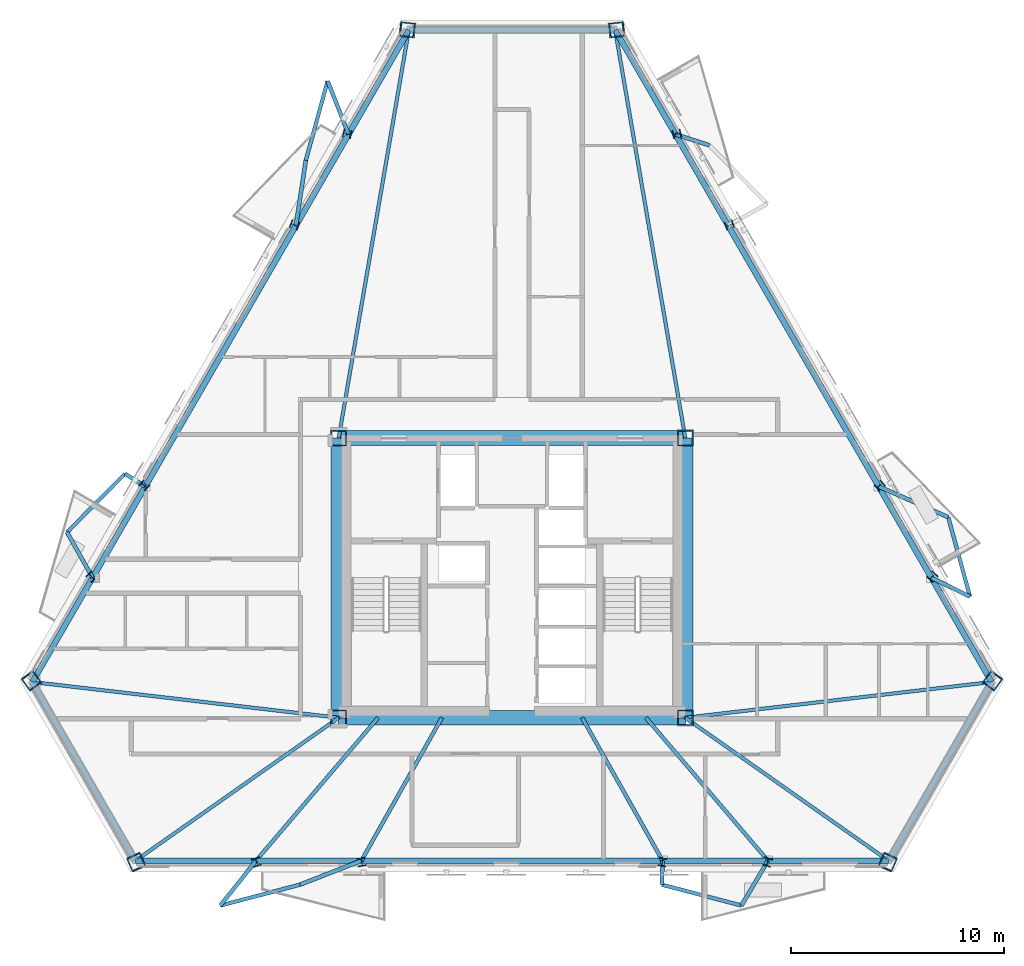
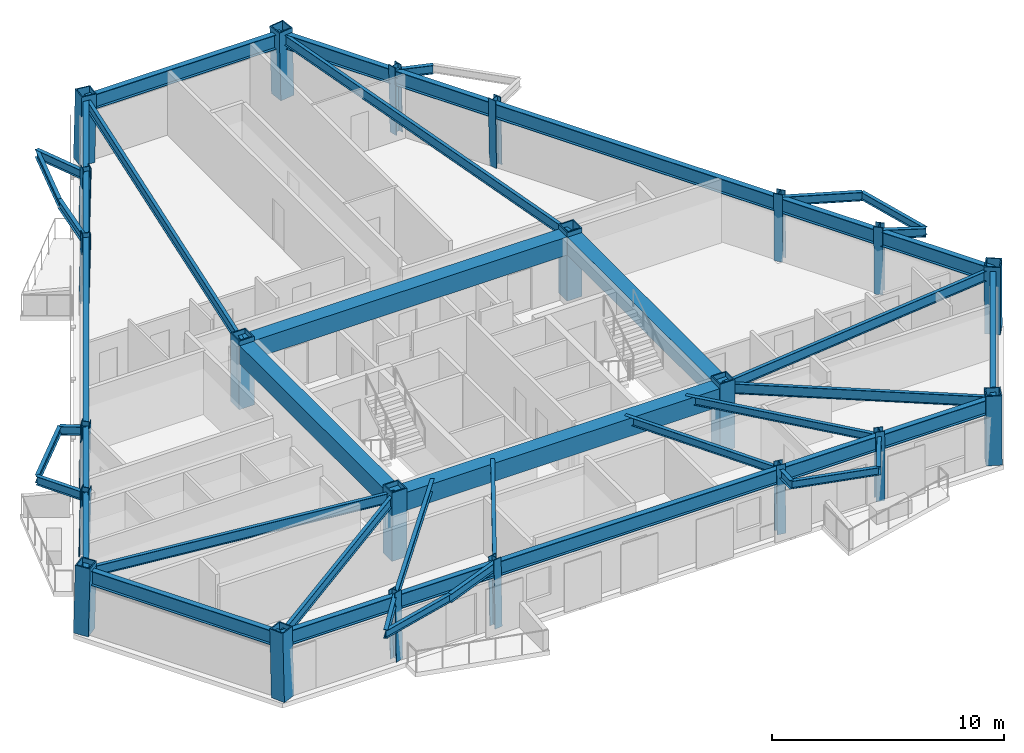
# One storey, part 1 of 9: 48 beams, 22 columns.
"""IFC4 building model written with IfcOpenShell, lengths in metres."""

from ifc_helpers import new_model, si_unit, direction, frame, origin, origin_2d, place, context, subcontext, project, spatial, rectangle, hollow_rectangle, i_section, extrude, material, material_profile, profile_set, type_object, element, save


model = new_model("IFC4")

# Units and contexts
model_context = context("Model", 3, precision=1e-05, world=origin(), true_north=direction((0.0, 1.0)))
body_context = subcontext(model_context, "Body", "Model", "MODEL_VIEW")
ifc_project = project(units=[si_unit("LENGTHUNIT", "METRE"), si_unit("AREAUNIT", "SQUARE_METRE"), si_unit("VOLUMEUNIT", "CUBIC_METRE"), si_unit("PLANEANGLEUNIT", "RADIAN"), si_unit("MASSUNIT", "GRAM", prefix="KILO")], contexts=[model_context])

# Site, building, storey
site_placement = place(None, origin())
site = spatial("IfcSite", under=ifc_project, at=site_placement, CompositionType="ELEMENT")
building_placement = place(site_placement, origin())
building = spatial("IfcBuilding", under=site, at=building_placement, Name="Oramaril Tower", CompositionType="ELEMENT")
storey_placement = place(building_placement, frame((0.0, 0.0, 142.199951171875)))
storey = spatial("IfcBuildingStorey", under=building, at=storey_placement, Name="L37", CompositionType="ELEMENT", Elevation=142.199951171875)

# Columns
ifc_material_1 = material(Name="Steel ASTM A572 Gr 50", Category="steel")
ifc_material_profile_1 = material_profile(ifc_material_1, hollow_rectangle(XDim=0.75, YDim=0.75, WallThickness=0.06005859375, at=origin_2d()), Name="BOX750X750X60")
ifc_profile_set_1 = profile_set([ifc_material_profile_1], Name="Steel ASTM A572 Gr 50")
column_type_1 = type_object("IfcColumnType", Name="CT-CC4", PredefinedType="COLUMN", material=ifc_profile_set_1)
for number, where, z_axis, x_axis, name in (
    (1, (29.35009765625, 11.0, 0.0), (0.0, 0.0, 1.0), (1.0, 0.0, 0.0), "L37 Core Column CC-1"),
    (2, (45.64990234375, 11.0, 0.0), (0.0, 0.0, 1.0), (1.0, 0.0, 0.0), "L37 Core Column CC-2"),
    (3, (45.64990234375, 24.14990234375, 0.0), (0.0, 0.0, 1.0), (1.0, 0.0, 0.0), "L37 Core Column CC-3"),
    (4, (29.35009765625, 24.14990234375, 0.0), (0.0, 0.0, 1.0), (1.0, 0.0, 0.0), "L37 Core Column CC-4"),
):
    element("IfcColumn", number, at=place(storey_placement, frame(where, z_axis=z_axis, x_axis=x_axis)), inside=storey, type_object=column_type_1, Name=name, PredefinedType="COLUMN", context=body_context, shape_type="SweptSolid", body=[
        extrude(hollow_rectangle(XDim=0.75, YDim=0.75, WallThickness=0.06005859375, at=origin_2d()), origin(), (0.0, 0.0, 1.0), 3.60009765625),
    ])
ifc_material_2 = material(Name="Steel ASTM A572 Gr 50", Category="steel")
ifc_material_profile_2 = material_profile(ifc_material_2, hollow_rectangle(XDim=0.699951171875, YDim=0.699951171875, WallThickness=0.054931640625, at=origin_2d()), Name="BOX700X700X55")
ifc_profile_set_2 = profile_set([ifc_material_profile_2], Name="Steel ASTM A572 Gr 50")
column_type_2 = type_object("IfcColumnType", Name="CT-TC4", PredefinedType="COLUMN", material=ifc_profile_set_2)
for number, where, z_axis, x_axis, name in (
    (5, (14.896728515625, 12.749755859375, 0.004638671875), (0.014137914748, -0.01930369129, 0.999713702451), (0.806766093747, 0.590870941899, 0.0), "L37 Tube Column TC-01"),
    (6, (19.8330078125, 4.2001953125, 0.004638671875), (-0.00965184725, 0.021886583202, 0.999713868725), (-0.914979518998, -0.403500284776, 0.0), "L37 Tube Column TC-02"),
    (7, (55.1669921875, 4.2001953125, 0.004638671875), (0.00965184725, 0.021886583202, 0.999713868725), (-0.914979518998, 0.403500284776, 0.0), "L37 Tube Column TC-03"),
    (8, (60.103271484375, 12.749755859375, 0.004638671875), (-0.014137914748, -0.01930369129, 0.999713702451), (0.806766093747, -0.590870941899, 0.0), "L37 Tube Column TC-04"),
    (9, (42.43603515625, 43.35009765625, 0.004638671875), (-0.023789759074, -0.002582888128, 0.999713647027), (0.107937124158, -0.994157722511, 0.0), "L37 Tube Column TC-05"),
    (10, (32.56396484375, 43.35009765625, 0.004638671875), (0.023789759074, -0.002582888128, 0.999713647027), (0.107937124158, 0.994157722511, 0.0), "L37 Tube Column TC-06"),
):
    element("IfcColumn", number, at=place(storey_placement, frame(where, z_axis=z_axis, x_axis=x_axis)), inside=storey, type_object=column_type_2, Name=name, PredefinedType="COLUMN", context=body_context, shape_type="SweptSolid", body=[
        extrude(hollow_rectangle(XDim=0.699951171875, YDim=0.699951171875, WallThickness=0.054931640625, at=origin_2d()), origin(), (0.0, 0.0, 1.0), 3.591796875),
    ])
ifc_material_3 = material(Name="Steel ASTM A572 Gr 50", Category="steel")
ifc_material_profile_3 = material_profile(ifc_material_3, i_section(OverallWidth=0.39892578125, OverallDepth=0.385986328125, WebThickness=0.02099609375, FlangeThickness=0.033203125, at=origin_2d()), Name="W14X176")
ifc_profile_set_3 = profile_set([ifc_material_profile_3], Name="Steel ASTM A572 Gr 50")
column_type_3 = type_object("IfcColumnType", Name="CT-TF4", PredefinedType="COLUMN", material=ifc_profile_set_3)
for number, where, z_axis, x_axis, name in (
    (11, (25.486328125, 4.2001953125, 0.004638671875), (-0.006525357536, 0.021887136734, 0.999739152457), (-0.958316356507, -0.2857092243, 0.0), "L37 Tube Column TC-07"),
    (12, (30.43310546875, 4.2001953125, 0.004638671875), (-0.003874484445, 0.021887438445, 0.999752933683), (-0.984691062633, -0.174308666367, 0.0), "L37 Tube Column TC-08"),
    (13, (44.56689453125, 4.2001953125, 0.004638671875), (0.003874484445, 0.021887438445, 0.999752933683), (-0.984691062633, 0.174308666367, 0.0), "L37 Tube Column TC-09"),
    (14, (49.513671875, 4.2001953125, 0.004638671875), (0.006525357536, 0.021887136734, 0.999739152457), (-0.958316356507, 0.2857092243, 0.0), "L37 Tube Column TC-10"),
    (15, (57.276611328125, 17.645751953125, 0.004638671875), (-0.015701641679, -0.016585283852, 0.999739159385), (0.72618726002, -0.687496955183, 0.0), "L37 Tube Column TC-11"),
    (16, (54.802978515625, 21.9296875, 0.004638671875), (-0.016993365903, -0.014274427358, 0.999753702788), (0.643192086423, -0.76570486479, 0.0), "L37 Tube Column TC-12"),
    (17, (47.736083984375, 34.169921875, 0.004638671875), (-0.020867844024, -0.00761302453, 0.999753257031), (0.342725666193, -0.93943553144, 0.0), "L37 Tube Column TC-13"),
    (18, (45.2626953125, 38.4541015625, 0.004638671875), (-0.022159054275, -0.005301859612, 0.999740399603), (0.232695903295, -0.972549544542, 0.0), "L37 Tube Column TC-14"),
    (19, (29.7373046875, 38.4541015625, 0.004638671875), (0.022159054275, -0.005301859612, 0.999740399603), (0.232695903295, 0.972549544542, 0.0), "L37 Tube Column TC-15"),
    (20, (27.263916015625, 34.169921875, 0.004638671875), (0.020867844024, -0.00761302453, 0.999753257031), (0.342725666193, 0.93943553144, 0.0), "L37 Tube Column TC-16"),
    (21, (20.197021484375, 21.9296875, 0.004638671875), (0.016993365903, -0.014274427358, 0.999753702788), (0.643192086423, 0.76570486479, 0.0), "L37 Tube Column TC-17"),
    (22, (17.723388671875, 17.645751953125, 0.004638671875), (0.015701641679, -0.016585283852, 0.999739159385), (0.72618726002, 0.687496955183, 0.0), "L37 Tube Column TC-18"),
):
    element("IfcColumn", number, at=place(storey_placement, frame(where, z_axis=z_axis, x_axis=x_axis)), inside=storey, type_object=column_type_3, Name=name, PredefinedType="COLUMN", context=body_context, shape_type="SweptSolid", body=[
        extrude(i_section(OverallWidth=0.39892578125, OverallDepth=0.385986328125, WebThickness=0.02099609375, FlangeThickness=0.033203125, at=origin_2d()), origin(), (0.0, 0.0, 1.0), 3.591796875),
    ])

# Beams
ifc_material_4 = material(Name="Steel ASTM A572 Gr 50", Category="steel")
ifc_material_profile_4 = material_profile(ifc_material_4, i_section(OverallWidth=0.19091796875, OverallDepth=0.45703125, WebThickness=0.009033203125, FlangeThickness=0.014404296875, at=origin_2d()), Name="W18X50")
ifc_profile_set_4 = profile_set([ifc_material_profile_4], Name="Steel ASTM A572 Gr 50")
beam_type_1 = type_object("IfcBeamType", Name="BT-BB1", PredefinedType="BEAM", material=ifc_profile_set_4)
beam_1_placement = place(storey_placement, frame((25.462890625, 4.27880859375, 3.131591796875), z_axis=(-0.622637099285, -0.782510730018, 0.0), x_axis=(0.782510730018, -0.622637099285, 0.0)))
element("IfcBeam", 23, at=beam_1_placement, inside=storey, type_object=beam_type_1, Name="L37 Balcony Column-Framed Cantilever 01.1", PredefinedType="BEAM", context=body_context, shape_type="SweptSolid", body=[
    extrude(i_section(OverallWidth=0.19091796875, OverallDepth=0.45703125, WebThickness=0.009033203125, FlangeThickness=0.014404296875, at=origin_2d()), origin(), (0.0, 0.0, 1.0), 2.69384765625),
])
beam_2_placement = place(storey_placement, frame((30.419189453125, 4.27880859375, 3.131591796875), z_axis=(-0.931538604278, -0.363642446284, 0.0), x_axis=(0.363642446284, -0.931538604278, 0.0)))
element("IfcBeam", 24, at=beam_2_placement, inside=storey, type_object=beam_type_1, Name="L37 Balcony Column-Framed Cantilever 01.2", PredefinedType="BEAM", context=body_context, shape_type="SweptSolid", body=[
    extrude(i_section(OverallWidth=0.19091796875, OverallDepth=0.45703125, WebThickness=0.009033203125, FlangeThickness=0.014404296875, at=origin_2d()), origin(), (0.0, 0.0, 1.0), 3.101806640625),
])
beam_3_placement = place(storey_placement, frame((44.580810546875, 4.27880859375, 3.131591796875), z_axis=(-0.031369834982, -0.999507845619, 0.0), x_axis=(0.999507845619, -0.031369834982, 0.0)))
element("IfcBeam", 25, at=beam_3_placement, inside=storey, type_object=beam_type_1, Name="L37 Balcony Column-Framed Cantilever 02.1", PredefinedType="BEAM", context=body_context, shape_type="SweptSolid", body=[
    extrude(i_section(OverallWidth=0.19091796875, OverallDepth=0.45703125, WebThickness=0.009033203125, FlangeThickness=0.014404296875, at=origin_2d()), origin(), (0.0, 0.0, 1.0), 1.12841796875),
])
beam_4_placement = place(storey_placement, frame((49.537109375, 4.27880859375, 3.131591796875), z_axis=(-0.509400730271, -0.860529427736, 0.0), x_axis=(0.860529427736, -0.509400730271, 0.0)))
element("IfcBeam", 26, at=beam_4_placement, inside=storey, type_object=beam_type_1, Name="L37 Balcony Column-Framed Cantilever 02.2", PredefinedType="BEAM", context=body_context, shape_type="SweptSolid", body=[
    extrude(i_section(OverallWidth=0.19091796875, OverallDepth=0.45703125, WebThickness=0.009033203125, FlangeThickness=0.014404296875, at=origin_2d()), origin(), (0.0, 0.0, 1.0), 2.449462890625),
])
beam_5_placement = place(storey_placement, frame((57.22021484375, 17.586181640625, 3.131591796875), z_axis=(0.898163954461, -0.439660677009, 0.0), x_axis=(0.439660677009, 0.898163954461, 0.0)))
element("IfcBeam", 27, at=beam_5_placement, inside=storey, type_object=beam_type_1, Name="L37 Balcony Column-Framed Cantilever 03.1", PredefinedType="BEAM", context=body_context, shape_type="SweptSolid", body=[
    extrude(i_section(OverallWidth=0.19091796875, OverallDepth=0.45703125, WebThickness=0.009033203125, FlangeThickness=0.014404296875, at=origin_2d()), origin(), (0.0, 0.0, 1.0), 2.021240234375),
])
beam_6_placement = place(storey_placement, frame((54.741943359375, 21.87841796875, 3.131591796875), z_axis=(0.914325920891, -0.404979148089, 0.0), x_axis=(0.404979148089, 0.914325920891, 0.0)))
element("IfcBeam", 28, at=beam_6_placement, inside=storey, type_object=beam_type_1, Name="L37 Balcony Column-Framed Cantilever 03.2", PredefinedType="BEAM", context=body_context, shape_type="SweptSolid", body=[
    extrude(i_section(OverallWidth=0.19091796875, OverallDepth=0.45703125, WebThickness=0.009033203125, FlangeThickness=0.014404296875, at=origin_2d()), origin(), (0.0, 0.0, 1.0), 3.57666015625),
])
beam_7_placement = place(storey_placement, frame((45.18310546875, 38.43505859375, 3.131591796875), z_axis=(0.951659352853, -0.307155459219, 0.0), x_axis=(0.307155459219, 0.951659352853, 0.0)))
element("IfcBeam", 29, at=beam_7_placement, inside=storey, type_object=beam_type_1, Name="L37 Balcony Column-Framed Cantilever 04.2", PredefinedType="BEAM", context=body_context, shape_type="SweptSolid", body=[
    extrude(i_section(OverallWidth=0.19091796875, OverallDepth=0.45703125, WebThickness=0.009033203125, FlangeThickness=0.014404296875, at=origin_2d()), origin(), (0.0, 0.0, 1.0), 1.681884765625),
])
beam_8_placement = place(storey_placement, frame((29.81689453125, 38.43505859375, 3.131591796875), z_axis=(-0.366322431554, 0.930487977429, 0.0), x_axis=(-0.930487977429, -0.366322431554, 0.0)))
element("IfcBeam", 30, at=beam_8_placement, inside=storey, type_object=beam_type_1, Name="L37 Balcony Column-Framed Cantilever 05.1", PredefinedType="BEAM", context=body_context, shape_type="SweptSolid", body=[
    extrude(i_section(OverallWidth=0.19091796875, OverallDepth=0.45703125, WebThickness=0.009033203125, FlangeThickness=0.014404296875, at=origin_2d()), origin(), (0.0, 0.0, 1.0), 2.69384765625),
])
beam_9_placement = place(storey_placement, frame((27.3388671875, 34.142578125, 3.131591796875), z_axis=(0.150791471743, 0.988565593195, 0.0), x_axis=(-0.988565593195, 0.150791471743, 0.0)))
element("IfcBeam", 31, at=beam_9_placement, inside=storey, type_object=beam_type_1, Name="L37 Balcony Column-Framed Cantilever 05.2", PredefinedType="BEAM", context=body_context, shape_type="SweptSolid", body=[
    extrude(i_section(OverallWidth=0.19091796875, OverallDepth=0.45703125, WebThickness=0.009033203125, FlangeThickness=0.014404296875, at=origin_2d()), origin(), (0.0, 0.0, 1.0), 3.10205078125),
])
beam_10_placement = place(storey_placement, frame((20.258056640625, 21.87841796875, 3.131591796875), z_axis=(-0.849900754186, 0.526942793891, 0.0), x_axis=(-0.526942793891, -0.849900754186, 0.0)))
element("IfcBeam", 32, at=beam_10_placement, inside=storey, type_object=beam_type_1, Name="L37 Balcony Column-Framed Cantilever 06.1", PredefinedType="BEAM", context=body_context, shape_type="SweptSolid", body=[
    extrude(i_section(OverallWidth=0.19091796875, OverallDepth=0.45703125, WebThickness=0.009033203125, FlangeThickness=0.014404296875, at=origin_2d()), origin(), (0.0, 0.0, 1.0), 1.128662109375),
])
beam_11_placement = place(storey_placement, frame((17.77978515625, 17.586181640625, 3.131591796875), z_axis=(-0.490568791691, 0.871402467646, 0.0), x_axis=(-0.871402467646, -0.490568791691, 0.0)))
element("IfcBeam", 33, at=beam_11_placement, inside=storey, type_object=beam_type_1, Name="L37 Balcony Column-Framed Cantilever 06.2", PredefinedType="BEAM", context=body_context, shape_type="SweptSolid", body=[
    extrude(i_section(OverallWidth=0.19091796875, OverallDepth=0.45703125, WebThickness=0.009033203125, FlangeThickness=0.014404296875, at=origin_2d()), origin(), (0.0, 0.0, 1.0), 2.449462890625),
])
ifc_material_5 = material(Name="Concrete C50/60", Category="concrete")
ifc_material_profile_5 = material_profile(ifc_material_5, rectangle(XDim=0.699951171875, YDim=0.949951171875, at=origin_2d()), Name="CB700X950")
ifc_profile_set_5 = profile_set([ifc_material_profile_5], Name="Concrete C50/60")
beam_type_2 = type_object("IfcBeamType", Name="BT-CB1", PredefinedType="BEAM", material=ifc_profile_set_5)
beam_12_placement = place(storey_placement, frame((29.35009765625, 11.0, 2.885009765625), z_axis=(1.0, 0.0, 0.0), x_axis=(0.0, 1.0, 0.0)))
element("IfcBeam", 34, at=beam_12_placement, inside=storey, type_object=beam_type_2, Name="L37 Core Header Beam CB-1", PredefinedType="BEAM", context=body_context, shape_type="SweptSolid", body=[
    extrude(rectangle(XDim=0.699951171875, YDim=0.949951171875, at=origin_2d()), origin(), (0.0, 0.0, 1.0), 16.2998046875),
])
beam_13_placement = place(storey_placement, frame((45.64990234375, 11.0, 2.885009765625), z_axis=(0.0, 1.0, 0.0), x_axis=(-1.0, 0.0, 0.0)))
element("IfcBeam", 35, at=beam_13_placement, inside=storey, type_object=beam_type_2, Name="L37 Core Header Beam CB-2", PredefinedType="BEAM", context=body_context, shape_type="SweptSolid", body=[
    extrude(rectangle(XDim=0.699951171875, YDim=0.949951171875, at=origin_2d()), origin(), (0.0, 0.0, 1.0), 13.14990234375),
])
beam_14_placement = place(storey_placement, frame((45.64990234375, 24.14990234375, 2.885009765625), z_axis=(-1.0, 0.0, 0.0), x_axis=(0.0, -1.0, 0.0)))
element("IfcBeam", 36, at=beam_14_placement, inside=storey, type_object=beam_type_2, Name="L37 Core Header Beam CB-3", PredefinedType="BEAM", context=body_context, shape_type="SweptSolid", body=[
    extrude(rectangle(XDim=0.699951171875, YDim=0.949951171875, at=origin_2d()), origin(), (0.0, 0.0, 1.0), 16.2998046875),
])
beam_15_placement = place(storey_placement, frame((29.35009765625, 24.14990234375, 2.885009765625), z_axis=(0.0, -1.0, 0.0), x_axis=(1.0, 0.0, 0.0)))
element("IfcBeam", 37, at=beam_15_placement, inside=storey, type_object=beam_type_2, Name="L37 Core Header Beam CB-4", PredefinedType="BEAM", context=body_context, shape_type="SweptSolid", body=[
    extrude(rectangle(XDim=0.699951171875, YDim=0.949951171875, at=origin_2d()), origin(), (0.0, 0.0, 1.0), 13.14990234375),
])
ifc_material_6 = material(Name="Steel ASTM A572 Gr 50", Category="steel")
ifc_material_profile_6 = material_profile(ifc_material_6, i_section(OverallWidth=0.166015625, OverallDepth=0.528076171875, WebThickness=0.009765625, FlangeThickness=0.013671875, at=origin_2d()), Name="W21X50")
ifc_profile_set_6 = profile_set([ifc_material_profile_6], Name="Steel ASTM A572 Gr 50")
beam_type_3 = type_object("IfcBeamType", Name="BT-FB3", PredefinedType="BEAM", material=ifc_profile_set_6)
beam_16_placement = place(storey_placement, frame((29.35009765625, 11.0, 3.095947265625), z_axis=(-0.993262202387, 0.115888728138, 0.0), x_axis=(-0.115888728138, -0.993262202387, 0.0)))
element("IfcBeam", 38, at=beam_16_placement, inside=storey, type_object=beam_type_3, Name="L37 Radial Primary Beam RB-01", PredefinedType="BEAM", context=body_context, shape_type="SweptSolid", body=[
    extrude(i_section(OverallWidth=0.166015625, OverallDepth=0.528076171875, WebThickness=0.009765625, FlangeThickness=0.013671875, at=origin_2d()), origin(), (0.0, 0.0, 1.0), 14.500244140625),
])
for number, where, z_axis, x_axis, name in (
    (39, (29.35009765625, 11.0, 3.095947265625), (-0.817823179999, -0.575469587603, 0.0), (0.575469587603, -0.817823179999, 0.0), "L37 Radial Primary Beam RB-02"),
    (40, (45.64990234375, 11.0, 3.095947265625), (0.817823179999, -0.575469587603, 0.0), (0.575469587603, 0.817823179999, 0.0), "L37 Radial Primary Beam RB-03"),
):
    element("IfcBeam", number, at=place(storey_placement, frame(where, z_axis=z_axis, x_axis=x_axis)), inside=storey, type_object=beam_type_3, Name=name, PredefinedType="BEAM", context=body_context, shape_type="SweptSolid", body=[
        extrude(i_section(OverallWidth=0.166015625, OverallDepth=0.528076171875, WebThickness=0.009765625, FlangeThickness=0.013671875, at=origin_2d()), origin(), (0.0, 0.0, 1.0), 11.679443359375),
    ])
beam_17_placement = place(storey_placement, frame((45.64990234375, 11.0, 3.095947265625), z_axis=(0.993262202387, 0.115888728138, 0.0), x_axis=(-0.115888728138, 0.993262202387, 0.0)))
element("IfcBeam", 41, at=beam_17_placement, inside=storey, type_object=beam_type_3, Name="L37 Radial Primary Beam RB-04", PredefinedType="BEAM", context=body_context, shape_type="SweptSolid", body=[
    extrude(i_section(OverallWidth=0.166015625, OverallDepth=0.528076171875, WebThickness=0.009765625, FlangeThickness=0.013671875, at=origin_2d()), origin(), (0.0, 0.0, 1.0), 14.500244140625),
])
for number, where, z_axis, x_axis, name in (
    (42, (45.64990234375, 24.14990234375, 3.095947265625), (-0.169434980073, 0.98554136774, 0.0), (-0.98554136774, -0.169434980073, 0.0), "L37 Radial Primary Beam RB-05"),
    (43, (29.35009765625, 24.14990234375, 3.095947265625), (0.169434980073, 0.98554136774, 0.0), (-0.98554136774, 0.169434980073, 0.0), "L37 Radial Primary Beam RB-06"),
):
    element("IfcBeam", number, at=place(storey_placement, frame(where, z_axis=z_axis, x_axis=x_axis)), inside=storey, type_object=beam_type_3, Name=name, PredefinedType="BEAM", context=body_context, shape_type="SweptSolid", body=[
        extrude(i_section(OverallWidth=0.166015625, OverallDepth=0.528076171875, WebThickness=0.009765625, FlangeThickness=0.013671875, at=origin_2d()), origin(), (0.0, 0.0, 1.0), 19.472412109375),
    ])
ifc_material_7 = material(Name="Steel ASTM A572 Gr 50", Category="steel")
ifc_material_profile_7 = material_profile(ifc_material_7, i_section(OverallWidth=0.177978515625, OverallDepth=0.404052734375, WebThickness=0.007568359375, FlangeThickness=0.010986328125, at=origin_2d()), Name="W16X36")
ifc_profile_set_7 = profile_set([ifc_material_profile_7], Name="Steel ASTM A572 Gr 50")
beam_type_4 = type_object("IfcBeamType", Name="BT-SB1", PredefinedType="BEAM", material=ifc_profile_set_7)
beam_18_placement = place(storey_placement, frame((31.199951171875, 11.0, 3.157958984375), z_axis=(-0.64922690795, -0.760594781729, 0.0), x_axis=(0.760594781729, -0.64922690795, 0.0)))
element("IfcBeam", 44, at=beam_18_placement, inside=storey, type_object=beam_type_4, Name="L37 Secondary Floor Beam SB-01", PredefinedType="BEAM", context=body_context, shape_type="SweptSolid", body=[
    extrude(i_section(OverallWidth=0.177978515625, OverallDepth=0.404052734375, WebThickness=0.007568359375, FlangeThickness=0.010986328125, at=origin_2d()), origin(), (0.0, 0.0, 1.0), 8.836669921875),
])
for number, where, z_axis, x_axis, name in (
    (45, (34.199951171875, 11.0, 3.157958984375), (-0.490270258175, -0.871570464133, 0.0), (0.871570464133, -0.490270258175, 0.0), "L37 Secondary Floor Beam SB-02"),
    (46, (40.800048828125, 11.0, 3.157958984375), (0.490270258175, -0.871570464133, 0.0), (0.871570464133, 0.490270258175, 0.0), "L37 Secondary Floor Beam SB-03"),
):
    element("IfcBeam", number, at=place(storey_placement, frame(where, z_axis=z_axis, x_axis=x_axis)), inside=storey, type_object=beam_type_4, Name=name, PredefinedType="BEAM", context=body_context, shape_type="SweptSolid", body=[
        extrude(i_section(OverallWidth=0.177978515625, OverallDepth=0.404052734375, WebThickness=0.007568359375, FlangeThickness=0.010986328125, at=origin_2d()), origin(), (0.0, 0.0, 1.0), 7.711669921875),
    ])
beam_19_placement = place(storey_placement, frame((43.800048828125, 11.0, 3.157958984375), z_axis=(0.64922690795, -0.760594781729, 0.0), x_axis=(0.760594781729, 0.64922690795, 0.0)))
element("IfcBeam", 47, at=beam_19_placement, inside=storey, type_object=beam_type_4, Name="L37 Secondary Floor Beam SB-04", PredefinedType="BEAM", context=body_context, shape_type="SweptSolid", body=[
    extrude(i_section(OverallWidth=0.177978515625, OverallDepth=0.404052734375, WebThickness=0.007568359375, FlangeThickness=0.010986328125, at=origin_2d()), origin(), (0.0, 0.0, 1.0), 8.836669921875),
])
beam_20_placement = place(storey_placement, frame((23.78564453125, 2.1708984375, 3.157958984375), z_axis=(0.967411967632, 0.253207592467, 0.0), x_axis=(-0.253207592467, 0.967411967632, 0.0)))
element("IfcBeam", 48, at=beam_20_placement, inside=storey, type_object=beam_type_4, Name="L37 Balcony Edge Tie Beam 01", PredefinedType="BEAM", context=body_context, shape_type="SweptSolid", body=[
    extrude(i_section(OverallWidth=0.177978515625, OverallDepth=0.404052734375, WebThickness=0.007568359375, FlangeThickness=0.010986328125, at=origin_2d()), origin(), (0.0, 0.0, 1.0), 3.870361328125),
])
for number, where, z_axis, x_axis, name in (
    (49, (44.54541015625, 3.15087890625, 3.157958984375), (0.967407922874, -0.253223045479, 0.0), (0.253223045479, 0.967407922874, 0.0), "L37 Balcony Edge Tie Beam 02"),
    (50, (59.03564453125, 16.697509765625, 3.157958984375), (-0.264440915482, 0.964401888332, 0.0), (-0.964401888332, -0.264440915482, 0.0), "L37 Balcony Edge Tie Beam 03"),
    (51, (28.830078125, 40.941650390625, 3.157958984375), (-0.264440915482, -0.964401888332, 0.0), (0.964401888332, -0.264440915482, 0.0), "L37 Balcony Edge Tie Beam 05"),
    (52, (19.298828125, 22.47314453125, 3.157958984375), (-0.702994511648, -0.71119527318, 0.0), (0.71119527318, -0.702994511648, 0.0), "L37 Balcony Edge Tie Beam 06"),
):
    element("IfcBeam", number, at=place(storey_placement, frame(where, z_axis=z_axis, x_axis=x_axis)), inside=storey, type_object=beam_type_4, Name=name, PredefinedType="BEAM", context=body_context, shape_type="SweptSolid", body=[
        extrude(i_section(OverallWidth=0.177978515625, OverallDepth=0.404052734375, WebThickness=0.007568359375, FlangeThickness=0.010986328125, at=origin_2d()), origin(), (0.0, 0.0, 1.0), 3.8701171875),
    ])
ifc_material_8 = material(Name="Steel ASTM A572 Gr 50", Category="steel")
ifc_material_profile_8 = material_profile(ifc_material_8, i_section(OverallWidth=0.26708984375, OverallDepth=0.77001953125, WebThickness=0.015625, FlangeThickness=0.025390625, at=origin_2d()), Name="W30X132")
ifc_profile_set_8 = profile_set([ifc_material_profile_8], Name="Steel ASTM A572 Gr 50")
beam_type_5 = type_object("IfcBeamType", Name="BT-SP3", PredefinedType="SPANDREL", material=ifc_profile_set_8)
beam_21_placement = place(storey_placement, frame((14.947509765625, 12.680419921875, 2.97509765625), z_axis=(0.500012177251, -0.866018373131, 0.0), x_axis=(0.866018373131, 0.500012177251, 0.0)))
element("IfcBeam", 53, at=beam_21_placement, inside=storey, type_object=beam_type_5, Name="L37 Perimeter Spandrel 01", PredefinedType="SPANDREL", context=body_context, shape_type="SweptSolid", body=[
    extrude(i_section(OverallWidth=0.26708984375, OverallDepth=0.77001953125, WebThickness=0.015625, FlangeThickness=0.025390625, at=origin_2d()), origin(), (0.0, 0.0, 1.0), 9.701416015625),
])
beam_22_placement = place(storey_placement, frame((19.79833984375, 4.27880859375, 2.97509765625), z_axis=(1.0, 0.0, 0.0), x_axis=(0.0, 1.0, 0.0)))
element("IfcBeam", 54, at=beam_22_placement, inside=storey, type_object=beam_type_5, Name="L37 Perimeter Spandrel 02", PredefinedType="SPANDREL", context=body_context, shape_type="SweptSolid", body=[
    extrude(i_section(OverallWidth=0.26708984375, OverallDepth=0.77001953125, WebThickness=0.015625, FlangeThickness=0.025390625, at=origin_2d()), origin(), (0.0, 0.0, 1.0), 5.66455078125),
])
beam_23_placement = place(storey_placement, frame((25.462890625, 4.27880859375, 2.97509765625), z_axis=(1.0, 0.0, 0.0), x_axis=(0.0, 1.0, 0.0)))
element("IfcBeam", 55, at=beam_23_placement, inside=storey, type_object=beam_type_5, Name="L37 Perimeter Spandrel 03", PredefinedType="SPANDREL", context=body_context, shape_type="SweptSolid", body=[
    extrude(i_section(OverallWidth=0.26708984375, OverallDepth=0.77001953125, WebThickness=0.015625, FlangeThickness=0.025390625, at=origin_2d()), origin(), (0.0, 0.0, 1.0), 4.956298828125),
])
beam_24_placement = place(storey_placement, frame((30.419189453125, 4.27880859375, 2.97509765625), z_axis=(1.0, 0.0, 0.0), x_axis=(0.0, 1.0, 0.0)))
element("IfcBeam", 56, at=beam_24_placement, inside=storey, type_object=beam_type_5, Name="L37 Perimeter Spandrel 04", PredefinedType="SPANDREL", context=body_context, shape_type="SweptSolid", body=[
    extrude(i_section(OverallWidth=0.26708984375, OverallDepth=0.77001953125, WebThickness=0.015625, FlangeThickness=0.025390625, at=origin_2d()), origin(), (0.0, 0.0, 1.0), 14.16162109375),
])
beam_25_placement = place(storey_placement, frame((44.580810546875, 4.27880859375, 2.97509765625), z_axis=(1.0, 0.0, 0.0), x_axis=(0.0, 1.0, 0.0)))
element("IfcBeam", 57, at=beam_25_placement, inside=storey, type_object=beam_type_5, Name="L37 Perimeter Spandrel 05", PredefinedType="SPANDREL", context=body_context, shape_type="SweptSolid", body=[
    extrude(i_section(OverallWidth=0.26708984375, OverallDepth=0.77001953125, WebThickness=0.015625, FlangeThickness=0.025390625, at=origin_2d()), origin(), (0.0, 0.0, 1.0), 4.956298828125),
])
beam_26_placement = place(storey_placement, frame((49.537109375, 4.27880859375, 2.97509765625), z_axis=(1.0, 0.0, 0.0), x_axis=(0.0, 1.0, 0.0)))
element("IfcBeam", 58, at=beam_26_placement, inside=storey, type_object=beam_type_5, Name="L37 Perimeter Spandrel 06", PredefinedType="SPANDREL", context=body_context, shape_type="SweptSolid", body=[
    extrude(i_section(OverallWidth=0.26708984375, OverallDepth=0.77001953125, WebThickness=0.015625, FlangeThickness=0.025390625, at=origin_2d()), origin(), (0.0, 0.0, 1.0), 5.66455078125),
])
beam_27_placement = place(storey_placement, frame((55.20166015625, 4.27880859375, 2.97509765625), z_axis=(0.500012177251, 0.866018373131, 0.0), x_axis=(-0.866018373131, 0.500012177251, 0.0)))
element("IfcBeam", 59, at=beam_27_placement, inside=storey, type_object=beam_type_5, Name="L37 Perimeter Spandrel 07", PredefinedType="SPANDREL", context=body_context, shape_type="SweptSolid", body=[
    extrude(i_section(OverallWidth=0.26708984375, OverallDepth=0.77001953125, WebThickness=0.015625, FlangeThickness=0.025390625, at=origin_2d()), origin(), (0.0, 0.0, 1.0), 9.701416015625),
])
beam_28_placement = place(storey_placement, frame((60.052490234375, 12.680419921875, 2.97509765625), z_axis=(-0.499991068497, 0.866030560329, 0.0), x_axis=(-0.866030560329, -0.499991068497, 0.0)))
element("IfcBeam", 60, at=beam_28_placement, inside=storey, type_object=beam_type_5, Name="L37 Perimeter Spandrel 08", PredefinedType="SPANDREL", context=body_context, shape_type="SweptSolid", body=[
    extrude(i_section(OverallWidth=0.26708984375, OverallDepth=0.77001953125, WebThickness=0.015625, FlangeThickness=0.025390625, at=origin_2d()), origin(), (0.0, 0.0, 1.0), 5.66455078125),
])
beam_29_placement = place(storey_placement, frame((57.22021484375, 17.586181640625, 2.97509765625), z_axis=(-0.500022347795, 0.866012500895, 0.0), x_axis=(-0.866012500895, -0.500022347795, 0.0)))
element("IfcBeam", 61, at=beam_29_placement, inside=storey, type_object=beam_type_5, Name="L37 Perimeter Spandrel 09", PredefinedType="SPANDREL", context=body_context, shape_type="SweptSolid", body=[
    extrude(i_section(OverallWidth=0.26708984375, OverallDepth=0.77001953125, WebThickness=0.015625, FlangeThickness=0.025390625, at=origin_2d()), origin(), (0.0, 0.0, 1.0), 4.956298828125),
])
beam_30_placement = place(storey_placement, frame((54.741943359375, 21.87841796875, 2.97509765625), z_axis=(-0.500004998372, 0.866022517954, 0.0), x_axis=(-0.866022517954, -0.500004998372, 0.0)))
element("IfcBeam", 62, at=beam_30_placement, inside=storey, type_object=beam_type_5, Name="L37 Perimeter Spandrel 10", PredefinedType="SPANDREL", context=body_context, shape_type="SweptSolid", body=[
    extrude(i_section(OverallWidth=0.26708984375, OverallDepth=0.77001953125, WebThickness=0.015625, FlangeThickness=0.025390625, at=origin_2d()), origin(), (0.0, 0.0, 1.0), 14.161376953125),
])
beam_31_placement = place(storey_placement, frame((47.6611328125, 34.142578125, 2.97509765625), z_axis=(-0.499964074828, 0.866046144199, 0.0), x_axis=(-0.866046144199, -0.499964074828, 0.0)))
element("IfcBeam", 63, at=beam_31_placement, inside=storey, type_object=beam_type_5, Name="L37 Perimeter Spandrel 11", PredefinedType="SPANDREL", context=body_context, shape_type="SweptSolid", body=[
    extrude(i_section(OverallWidth=0.26708984375, OverallDepth=0.77001953125, WebThickness=0.015625, FlangeThickness=0.025390625, at=origin_2d()), origin(), (0.0, 0.0, 1.0), 4.956298828125),
])
beam_32_placement = place(storey_placement, frame((45.18310546875, 38.43505859375, 2.97509765625), z_axis=(-0.500023392059, 0.866011897952, 0.0), x_axis=(-0.866011897952, -0.500023392059, 0.0)))
element("IfcBeam", 64, at=beam_32_placement, inside=storey, type_object=beam_type_5, Name="L37 Perimeter Spandrel 12", PredefinedType="SPANDREL", context=body_context, shape_type="SweptSolid", body=[
    extrude(i_section(OverallWidth=0.26708984375, OverallDepth=0.77001953125, WebThickness=0.015625, FlangeThickness=0.025390625, at=origin_2d()), origin(), (0.0, 0.0, 1.0), 5.664794921875),
])
beam_33_placement = place(storey_placement, frame((42.3505859375, 43.3408203125, 2.97509765625), z_axis=(-1.0, 0.0, 0.0), x_axis=(0.0, -1.0, 0.0)))
element("IfcBeam", 65, at=beam_33_placement, inside=storey, type_object=beam_type_5, Name="L37 Perimeter Spandrel 13", PredefinedType="SPANDREL", context=body_context, shape_type="SweptSolid", body=[
    extrude(i_section(OverallWidth=0.26708984375, OverallDepth=0.77001953125, WebThickness=0.015625, FlangeThickness=0.025390625, at=origin_2d()), origin(), (0.0, 0.0, 1.0), 9.701171875),
])
beam_34_placement = place(storey_placement, frame((32.6494140625, 43.3408203125, 2.97509765625), z_axis=(-0.500023392059, -0.866011897952, 0.0), x_axis=(0.866011897952, -0.500023392059, 0.0)))
element("IfcBeam", 66, at=beam_34_placement, inside=storey, type_object=beam_type_5, Name="L37 Perimeter Spandrel 14", PredefinedType="SPANDREL", context=body_context, shape_type="SweptSolid", body=[
    extrude(i_section(OverallWidth=0.26708984375, OverallDepth=0.77001953125, WebThickness=0.015625, FlangeThickness=0.025390625, at=origin_2d()), origin(), (0.0, 0.0, 1.0), 5.664794921875),
])
beam_35_placement = place(storey_placement, frame((29.81689453125, 38.43505859375, 2.97509765625), z_axis=(-0.499964074828, -0.866046144199, 0.0), x_axis=(0.866046144199, -0.499964074828, 0.0)))
element("IfcBeam", 67, at=beam_35_placement, inside=storey, type_object=beam_type_5, Name="L37 Perimeter Spandrel 15", PredefinedType="SPANDREL", context=body_context, shape_type="SweptSolid", body=[
    extrude(i_section(OverallWidth=0.26708984375, OverallDepth=0.77001953125, WebThickness=0.015625, FlangeThickness=0.025390625, at=origin_2d()), origin(), (0.0, 0.0, 1.0), 4.956298828125),
])
beam_36_placement = place(storey_placement, frame((27.3388671875, 34.142578125, 2.97509765625), z_axis=(-0.500004998372, -0.866022517954, 0.0), x_axis=(0.866022517954, -0.500004998372, 0.0)))
element("IfcBeam", 68, at=beam_36_placement, inside=storey, type_object=beam_type_5, Name="L37 Perimeter Spandrel 16", PredefinedType="SPANDREL", context=body_context, shape_type="SweptSolid", body=[
    extrude(i_section(OverallWidth=0.26708984375, OverallDepth=0.77001953125, WebThickness=0.015625, FlangeThickness=0.025390625, at=origin_2d()), origin(), (0.0, 0.0, 1.0), 14.161376953125),
])
beam_37_placement = place(storey_placement, frame((20.258056640625, 21.87841796875, 2.97509765625), z_axis=(-0.500022347795, -0.866012500895, 0.0), x_axis=(0.866012500895, -0.500022347795, 0.0)))
element("IfcBeam", 69, at=beam_37_placement, inside=storey, type_object=beam_type_5, Name="L37 Perimeter Spandrel 17", PredefinedType="SPANDREL", context=body_context, shape_type="SweptSolid", body=[
    extrude(i_section(OverallWidth=0.26708984375, OverallDepth=0.77001953125, WebThickness=0.015625, FlangeThickness=0.025390625, at=origin_2d()), origin(), (0.0, 0.0, 1.0), 4.956298828125),
])
beam_38_placement = place(storey_placement, frame((17.77978515625, 17.586181640625, 2.97509765625), z_axis=(-0.499991068497, -0.866030560329, 0.0), x_axis=(0.866030560329, -0.499991068497, 0.0)))
element("IfcBeam", 70, at=beam_38_placement, inside=storey, type_object=beam_type_5, Name="L37 Perimeter Spandrel 18", PredefinedType="SPANDREL", context=body_context, shape_type="SweptSolid", body=[
    extrude(i_section(OverallWidth=0.26708984375, OverallDepth=0.77001953125, WebThickness=0.015625, FlangeThickness=0.025390625, at=origin_2d()), origin(), (0.0, 0.0, 1.0), 5.66455078125),
])

save(model, "model.ifc")
